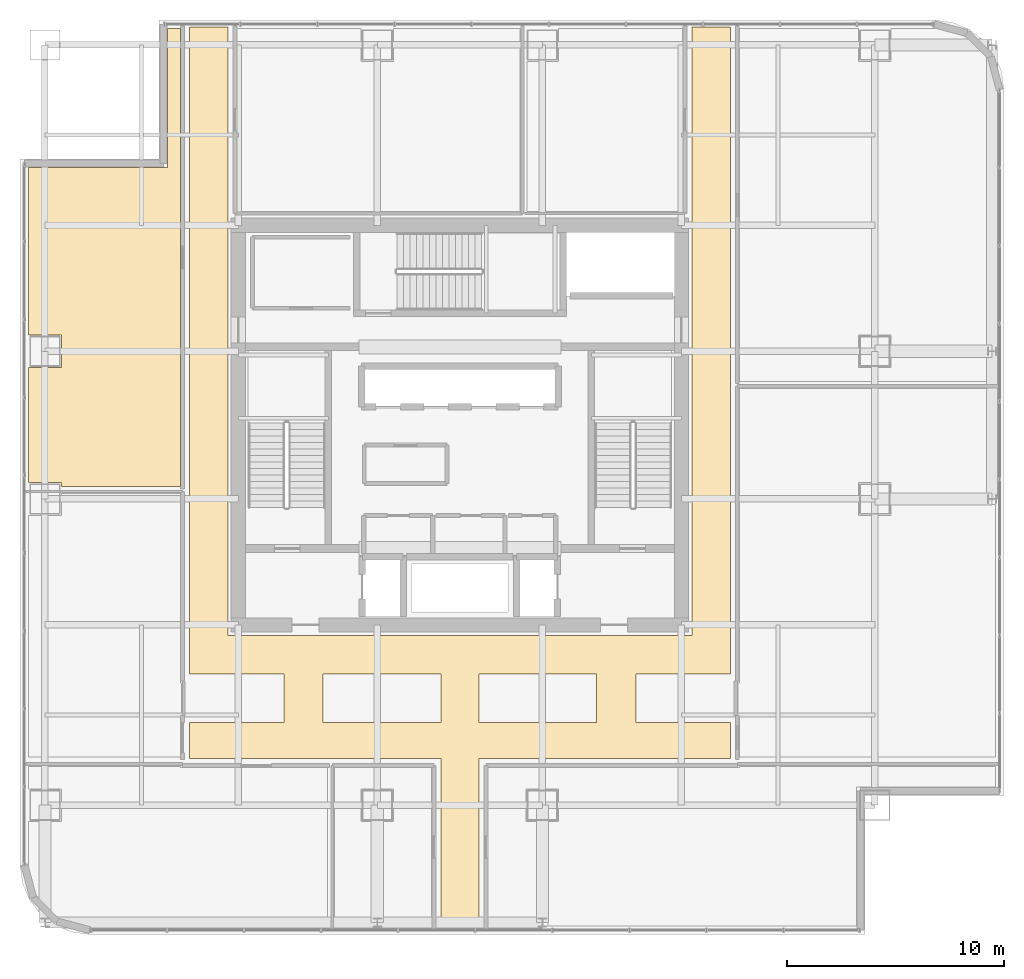
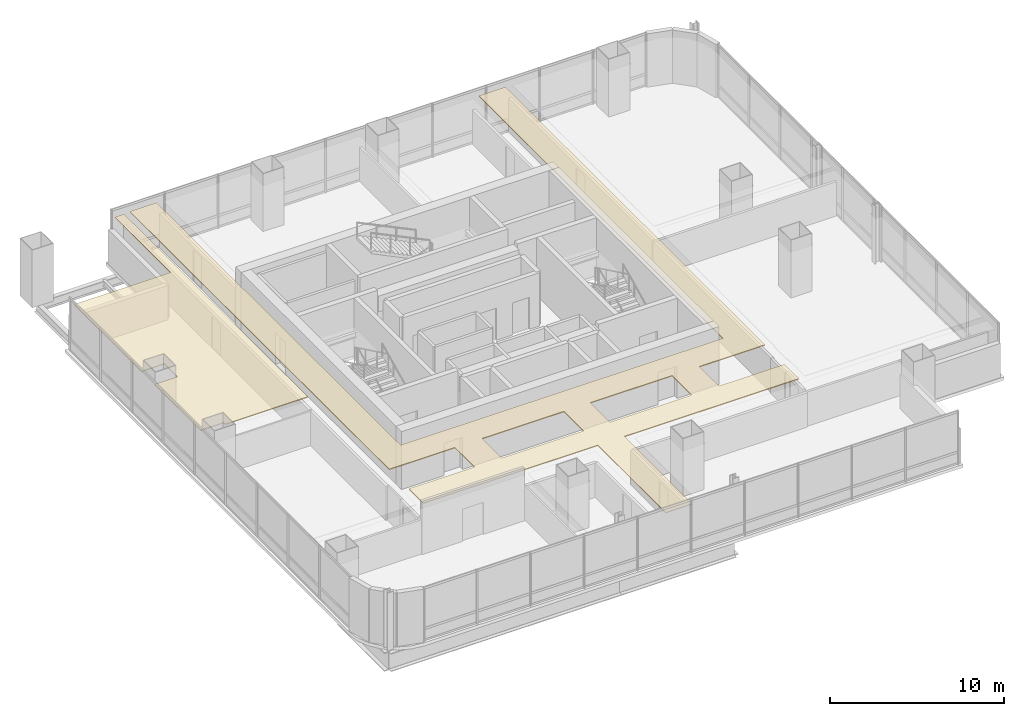
# One storey, part 33 of 35: 2 coverings.
"""IFC4 building model written with IfcOpenShell, lengths in metres."""

from ifc_helpers import new_model, si_unit, direction, frame, origin, place, context, subcontext, project, spatial, polyline, outline, extrude, material, layer, layer_set, type_object, element, save


model = new_model("IFC4")

# Units and contexts
model_context = context("Model", 3, precision=1e-05, world=origin(), true_north=direction((0.0, 1.0)))
body_context = subcontext(model_context, "Body", "Model", "MODEL_VIEW")
ifc_project = project(units=[si_unit("LENGTHUNIT", "METRE"), si_unit("AREAUNIT", "SQUARE_METRE"), si_unit("VOLUMEUNIT", "CUBIC_METRE"), si_unit("PLANEANGLEUNIT", "RADIAN"), si_unit("MASSUNIT", "GRAM", prefix="KILO")], contexts=[model_context])

# Site, building, storey
site_placement = place(None, origin())
site = spatial("IfcSite", under=ifc_project, at=site_placement, CompositionType="ELEMENT")
building_placement = place(site_placement, origin())
building = spatial("IfcBuilding", under=site, at=building_placement, Name="Punatoya Terracotta Tower", CompositionType="ELEMENT")
storey_placement = place(building_placement, frame((0.0, 0.0, 232.949951171875)))
storey = spatial("IfcBuildingStorey", under=building, at=storey_placement, Name="L55", CompositionType="ELEMENT", Elevation=232.949951171875)

# Coverings
ifc_material = material(Name="Acoustic Mineral Fibre Ceiling")
ifc_layer = layer(ifc_material, 0.06005859375)
ifc_layer_set = layer_set([ifc_layer], Name="Acoustic Mineral Fibre Ceiling")
covering_type = type_object("IfcCoveringType", Name="COV-CEIL-60", PredefinedType="CEILING", material=ifc_layer_set)
covering_1_placement = place(storey_placement, frame((0.0, 0.0, 3.2099609375)))
element("IfcCovering", 1, at=covering_1_placement, inside=storey, type_object=covering_type, Name="L55 Central Spine Circulation Corridor Acoustic Ceiling", PredefinedType="CEILING", context=body_context, shape_type="SweptSolid", body=[
    extrude(outline(polyline([(0.8798828125, -23.1298828125), (0.8798828125, -15.35009765625), (12.449951171875, -15.35009765625), (12.449951171875, -13.699951171875), (8.10009765625, -13.699951171875), (8.10009765625, -11.449951171875), (12.449951171875, -11.449951171875), (12.449951171875, 18.330078125), (10.679931640625, 18.330078125), (10.679931640625, -9.679931640625), (-10.679931640625, -9.679931640625), (-10.679931640625, 18.330078125), (-12.449951171875, 18.330078125), (-12.449951171875, -11.449951171875), (-8.10009765625, -11.449951171875), (-8.10009765625, -13.699951171875), (-12.449951171875, -13.699951171875), (-12.449951171875, -15.35009765625), (-0.8798828125, -15.35009765625), (-0.8798828125, -23.1298828125), (0.8798828125, -23.1298828125)]), holes=[polyline([(0.8798828125, -11.449951171875), (6.300048828125, -11.449951171875), (6.300048828125, -13.699951171875), (0.8798828125, -13.699951171875), (0.8798828125, -11.449951171875)]), polyline([(-6.300048828125, -11.449951171875), (-0.8798828125, -11.449951171875), (-0.8798828125, -13.699951171875), (-6.300048828125, -13.699951171875), (-6.300048828125, -11.449951171875)])]), origin(), (0.0, 0.0, 1.0), 0.06005859375),
])
covering_2_placement = place(storey_placement, frame((0.0, 0.0, 3.2099609375)))
element("IfcCovering", 2, at=covering_2_placement, inside=storey, type_object=covering_type, Name="L55 Open-Plan Delegate Reception Lounge Acoustic Ceiling", PredefinedType="CEILING", context=body_context, shape_type="SweptSolid", body=[
    extrude(outline(polyline([(-19.8701171875, 4.14990234375), (-18.35009765625, 4.14990234375), (-18.35009765625, 2.64990234375), (-19.8701171875, 2.64990234375), (-19.8701171875, -2.64990234375), (-18.35009765625, -2.64990234375), (-18.35009765625, -2.833984375), (-12.8701171875, -2.833984375), (-12.8701171875, 18.27001953125), (-13.469970703125, 18.27001953125), (-13.469970703125, 11.8701171875), (-19.8701171875, 11.8701171875), (-19.8701171875, 4.14990234375)])), origin(), (0.0, 0.0, 1.0), 0.06005859375),
])

save(model, "model.ifc")
